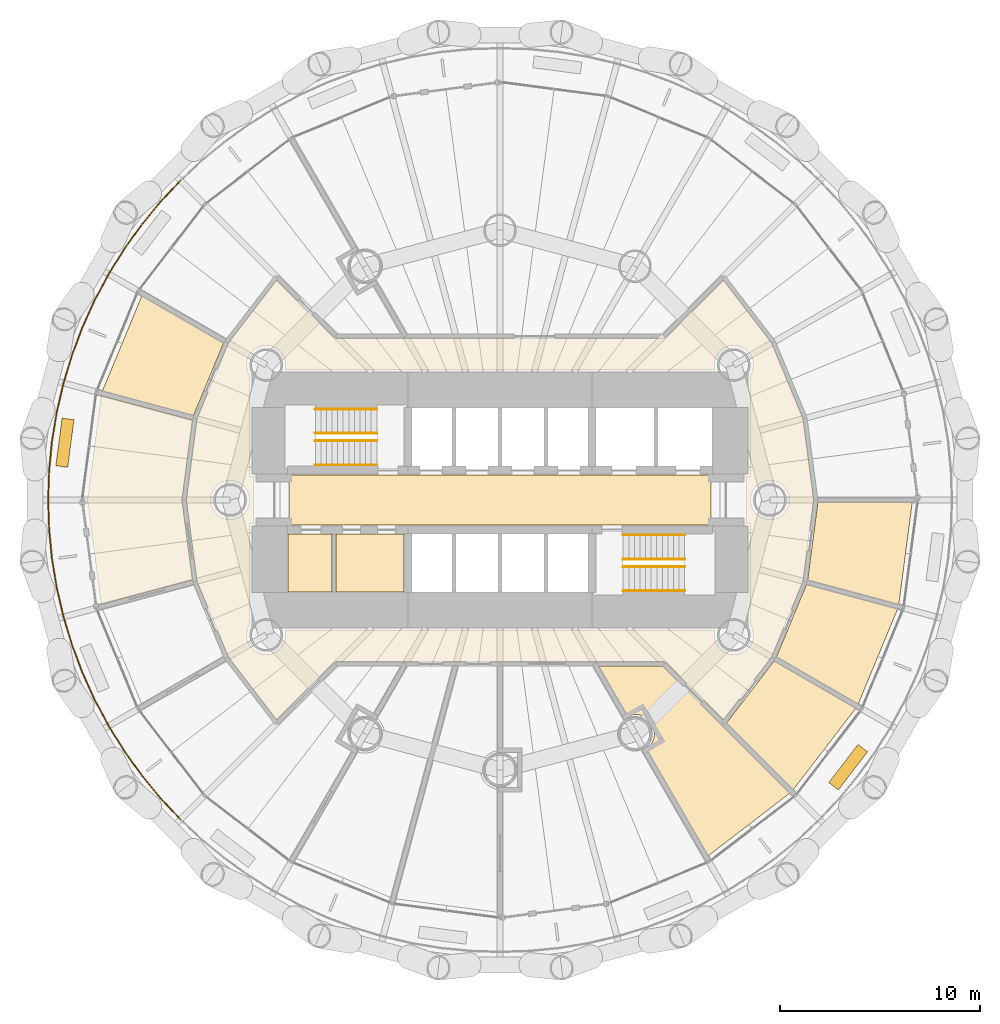
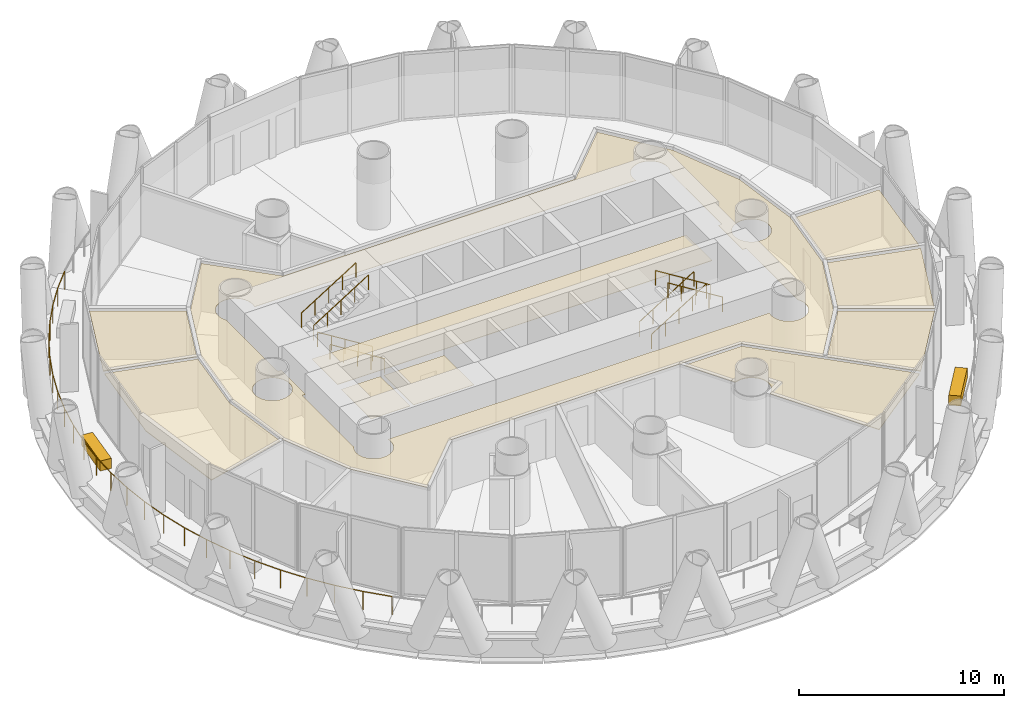
# One storey, part 14 of 15: 12 coverings, 9 railings.
"""IFC4 building model written with IfcOpenShell, lengths in metres."""

import ifcopenshell
import ifcopenshell.guid

model = None  # the IFC model being written
_history = None  # IfcOwnerHistory: only IFC2X3 demands one
_inside = {}  # id of a spatial element -> (the spatial element, [elements in it])
_under = {}  # id of a project, library or spatial element -> (it, [spatial elements below it])
_declared = {}  # id of a project -> (the project, [libraries it declares])
_typed = {}  # id of a type object -> (the type object, [elements of that type])
_made_of = {}  # id of a material, layer set ... -> (it, [elements and type objects made of it])


def new_model(schema):
    """Start an empty IFC model of exactly this schema.

    Asked for "IFC4X3", IfcOpenShell would pick the latest addendum, in which some entities
    have other attributes; the version numbers below select the first issue.
    IFC2X3 requires an IfcOwnerHistory on every rooted entity: one is made here for all.
    """
    global model, _history
    if schema == "IFC4X3":
        model = ifcopenshell.file(schema_version=(4, 3, 0, 0))
    else:
        model = ifcopenshell.file(schema=schema)
    _inside.clear()
    _under.clear()
    _declared.clear()
    _typed.clear()
    _made_of.clear()
    _history = None
    if model.schema == "IFC2X3":
        org = make("IfcOrganization", Name="unknown")
        user = make(
            "IfcPersonAndOrganization",
            ThePerson=make("IfcPerson", FamilyName="unknown"),
            TheOrganization=org,
        )
        app = make(
            "IfcApplication",
            ApplicationDeveloper=org,
            Version="unknown",
            ApplicationFullName="unknown",
            ApplicationIdentifier="unknown",
        )
        _history = make(
            "IfcOwnerHistory",
            OwningUser=user,
            OwningApplication=app,
            ChangeAction="ADDED",
            CreationDate=0,
        )
    return model


def make(cls, **values):
    """One entity of the class cls with the attributes given. An attribute that is None is left unset."""
    return model.create_entity(
        cls, **{name: value for name, value in values.items() if value is not None}
    )


def rooted(cls, **values):
    """An entity with a GlobalId (a new one), such as an element, a storey or a relation."""
    return make(cls, GlobalId=ifcopenshell.guid.new(), OwnerHistory=_history, **values)


def si_unit(unit_type, name, prefix=None):
    """IfcSIUnit, for example si_unit("LENGTHUNIT", "METRE", prefix="MILLI")."""
    return make("IfcSIUnit", UnitType=unit_type, Prefix=prefix, Name=name)


def assignment(units):
    """IfcUnitAssignment: the units of a project."""
    return None if units is None else make("IfcUnitAssignment", Units=units)


def point(xyz):
    """IfcCartesianPoint."""
    return None if xyz is None else make("IfcCartesianPoint", Coordinates=xyz)


def direction(xyz):
    """IfcDirection."""
    return None if xyz is None else make("IfcDirection", DirectionRatios=xyz)


def frame(location, z_axis=None, x_axis=None):
    """IfcAxis2Placement3D, a coordinate frame: its origin and axes. An axis left out is left unset."""
    return make(
        "IfcAxis2Placement3D",
        Location=point(location),
        Axis=direction(z_axis),
        RefDirection=direction(x_axis),
    )


def frame_2d(location, x_axis=None):
    """IfcAxis2Placement2D, a coordinate frame in the plane: its origin and x axis."""
    return make(
        "IfcAxis2Placement2D", Location=point(location), RefDirection=direction(x_axis)
    )


def origin():
    """The frame at (0, 0, 0) with its axes left unset."""
    return frame((0.0, 0.0, 0.0))


def origin_2d():
    """The frame at (0, 0) in the plane with its x axis left unset."""
    return frame_2d((0.0, 0.0))


def place(relative_to, where):
    """IfcLocalPlacement: puts the frame where relative to a parent placement (None: the world)."""
    return make(
        "IfcLocalPlacement", PlacementRelTo=relative_to, RelativePlacement=where
    )


def context(
    kind, dimensions, precision=None, world=None, true_north=None, identifier=None
):
    """IfcGeometricRepresentationContext, for example the 3D "Model" context."""
    return make(
        "IfcGeometricRepresentationContext",
        ContextIdentifier=identifier,
        ContextType=kind,
        CoordinateSpaceDimension=dimensions,
        Precision=precision,
        WorldCoordinateSystem=world,
        TrueNorth=true_north,
    )


def subcontext(parent, identifier, kind, view, scale=None):
    """IfcGeometricRepresentationSubContext, for example "Body" below "Model"."""
    return make(
        "IfcGeometricRepresentationSubContext",
        ContextIdentifier=identifier,
        ContextType=kind,
        ParentContext=parent,
        TargetScale=scale,
        TargetView=view,
    )


def project(units=None, contexts=None):
    """IfcProject with its units and contexts."""
    return rooted(
        "IfcProject",
        Name="project",
        RepresentationContexts=contexts,
        UnitsInContext=assignment(units),
    )


def spatial(cls, under=None, at=None, **own):
    """A site, building, storey or space (cls), placed at a placement, below another one or the project."""
    s = rooted(cls, ObjectPlacement=at, **own)
    if under is not None:
        _under.setdefault(under.id(), (under, []))[1].append(s)
    return s


def polyline(points):
    """IfcPolyline through the points."""
    return make("IfcPolyline", Points=[point(p) for p in points])


def profile(cls, at=None, kind="AREA", **sizes):
    """A parametric profile (cls). Its sizes go by their IFC names, for example OverallWidth=200.0."""
    return make(cls, ProfileType=kind, Position=at, **sizes)


def rectangle(**sizes):
    """IfcRectangleProfileDef."""
    return profile("IfcRectangleProfileDef", **sizes)


def circle(**sizes):
    """IfcCircleProfileDef."""
    return profile("IfcCircleProfileDef", **sizes)


def outline(outer, holes=None, kind="AREA"):
    """IfcArbitraryClosedProfileDef: a profile drawn as a closed curve; with holes, ...WithVoids."""
    if holes is None:
        return make("IfcArbitraryClosedProfileDef", ProfileType=kind, OuterCurve=outer)
    return make(
        "IfcArbitraryProfileDefWithVoids",
        ProfileType=kind,
        OuterCurve=outer,
        InnerCurves=holes,
    )


def extrude(swept, where, along, depth):
    """IfcExtrudedAreaSolid: the profile swept, set in the frame where, extruded along a direction by depth."""
    return make(
        "IfcExtrudedAreaSolid",
        SweptArea=swept,
        Position=where,
        ExtrudedDirection=direction(along),
        Depth=depth,
    )


def shape(context_of_items, identifier, shape_type, items):
    """IfcShapeRepresentation: the items that make up one representation, for example the "Body"."""
    return make(
        "IfcShapeRepresentation",
        ContextOfItems=context_of_items,
        RepresentationIdentifier=identifier,
        RepresentationType=shape_type,
        Items=items,
    )


def material(Name=None, Category=None):
    """IfcMaterial."""
    return make("IfcMaterial", Name=Name, Category=Category)


def layer(
    of_material, thickness, ventilated=None, Name=None, Category=None, Priority=None
):
    """IfcMaterialLayer: one layer of a wall or slab, of a material (None: an air gap)."""
    return make(
        "IfcMaterialLayer",
        Material=of_material,
        LayerThickness=thickness,
        IsVentilated=ventilated,
        Name=Name,
        Category=Category,
        Priority=Priority,
    )


def layer_set(layers, Name=None):
    """IfcMaterialLayerSet."""
    return make("IfcMaterialLayerSet", MaterialLayers=layers, LayerSetName=Name)


def made_of(thing, what):
    """Note that an element or type object is made of a material, layer set ...; save() writes the relation."""
    if what is not None:
        _made_of.setdefault(what.id(), (what, []))[1].append(thing)
    return thing


def type_object(cls, material=None, **own):
    """A type object (cls), such as IfcWallType, which elements share."""
    return made_of(rooted(cls, **own), material)


def element(
    cls,
    number,
    at=None,
    inside=None,
    cuts=None,
    type_object=None,
    material=None,
    context=None,
    identifier="Body",
    shape_type=None,
    held_by="IfcProductDefinitionShape",
    body=None,
    shapes=None,
    **own,
):
    """One element of the class cls, such as IfcWall. Its Tag is "e" and its number.

    at: its placement. inside: the storey or other place that contains it. cuts: it is an
    opening in that element (IfcRelVoidsElement). A single representation is given by context,
    identifier, shape_type and body (its items); several are given by shapes. held_by: the class
    of the entity that holds the representations. save() writes the other relations.
    """
    e = rooted(cls, Tag="e%d" % number, ObjectPlacement=at, **own)
    if body is not None:
        shapes = [shape(context, identifier, shape_type, body)]
    if shapes is not None:
        e.Representation = make(held_by, Representations=shapes)
    if inside is not None:
        _inside.setdefault(inside.id(), (inside, []))[1].append(e)
    if cuts is not None:
        rooted(
            "IfcRelVoidsElement", RelatingBuildingElement=cuts, RelatedOpeningElement=e
        )
    if type_object is not None:
        _typed.setdefault(type_object.id(), (type_object, []))[1].append(e)
    return made_of(e, material)


def aggregate(whole, parts):
    """IfcRelAggregates: a whole, such as a stair, and the parts it consists of."""
    return rooted("IfcRelAggregates", RelatingObject=whole, RelatedObjects=parts)


def save(model, path):
    """Write the relations noted so far, then the file.

    IfcRelAggregates (storeys below a building ...), IfcRelContainedInSpatialStructure (elements
    in a storey), IfcRelDefinesByType, IfcRelAssociatesMaterial and IfcRelDeclares: one each for
    every whole, place, type object, material and project.
    """
    for whole, parts in _under.values():
        aggregate(whole, parts)
    for where, things in _inside.values():
        rooted(
            "IfcRelContainedInSpatialStructure",
            RelatedElements=things,
            RelatingStructure=where,
        )
    for kind, things in _typed.values():
        rooted("IfcRelDefinesByType", RelatedObjects=things, RelatingType=kind)
    for what, things in _made_of.values():
        rooted("IfcRelAssociatesMaterial", RelatedObjects=things, RelatingMaterial=what)
    for by, libraries in _declared.values():
        rooted("IfcRelDeclares", RelatingContext=by, RelatedDefinitions=libraries)
    model.write(path)


model = new_model("IFC4")

# Units and contexts
model_context = context("Model", 3, precision=1e-05, world=origin(), true_north=direction((0.0, 1.0)))
body_context = subcontext(model_context, "Body", "Model", "MODEL_VIEW")
ifc_project = project(units=[si_unit("LENGTHUNIT", "METRE"), si_unit("AREAUNIT", "SQUARE_METRE"), si_unit("VOLUMEUNIT", "CUBIC_METRE"), si_unit("PLANEANGLEUNIT", "RADIAN"), si_unit("MASSUNIT", "GRAM", prefix="KILO")], contexts=[model_context])

# Site, building, storey
site_placement = place(None, origin())
site = spatial("IfcSite", under=ifc_project, at=site_placement, CompositionType="ELEMENT")
building_placement = place(site_placement, origin())
building = spatial("IfcBuilding", under=site, at=building_placement, Name="Qaws Media Tower", CompositionType="ELEMENT")
storey_placement = place(building_placement, frame((0.0, 0.0, 30.199951171875)))
storey = spatial("IfcBuildingStorey", under=building, at=storey_placement, Name="L05", CompositionType="ELEMENT", Elevation=30.199951171875)

# Coverings
ifc_material_1 = material(Name="40 perforated acoustic panels with mineral wool backing, suspended", Category="mineral fibre")
ifc_layer_1 = layer(ifc_material_1, 0.0400390625)
ifc_layer_set_1 = layer_set([ifc_layer_1], Name="Acoustic panel ceiling 40")
covering_type_1 = type_object("IfcCoveringType", Name="Acoustic panel ceiling 40", PredefinedType="CEILING", material=ifc_layer_set_1)
covering_1_placement = place(storey_placement, frame((0.0, 0.0, 2.85009765625)))
element("IfcCovering", 1, at=covering_1_placement, inside=storey, type_object=covering_type_1, Name="CL3 ceiling L05-04 Podcast booth", PredefinedType="CEILING", context=body_context, shape_type="SweptSolid", body=[
    extrude(outline(polyline([(42.0859375, 60.212890625), (46.175048828125, 57.851806640625), (44.672119140625, 54.223388671875), (40.111328125, 55.445556640625), (42.0859375, 60.212890625)])), origin(), (0.0, 0.0, 1.0), 0.0400390625),
])
covering_2_placement = place(storey_placement, frame((0.0, 0.0, 2.85009765625)))
element("IfcCovering", 2, at=covering_2_placement, inside=storey, type_object=covering_type_1, Name="CL3 ceiling L05-05 Radio studio", PredefinedType="CEILING", context=body_context, shape_type="SweptSolid", body=[
    extrude(outline(polyline([(39.36474609375, 50.0), (40.052978515625, 55.228271484375), (44.614013671875, 54.006103515625), (44.08642578125, 50.0), (44.614013671875, 45.993896484375), (40.052978515625, 44.771728515625), (39.36474609375, 50.0)])), origin(), (0.0, 0.0, 1.0), 0.0400390625),
])
covering_3_placement = place(storey_placement, frame((0.0, 0.0, 2.85009765625)))
element("IfcCovering", 3, at=covering_3_placement, inside=storey, type_object=covering_type_1, Name="CL3 ceiling L05-11 Podcast booth", PredefinedType="CEILING", context=body_context, shape_type="SweptSolid", body=[
    extrude(outline(polyline([(70.40771484375, 32.198486328125), (67.330078125, 37.528564453125), (67.34228515625, 37.53662109375), (67.43798828125, 37.62060546875), (67.52197265625, 37.71630859375), (67.592529296875, 37.822265625), (67.64892578125, 37.936279296875), (67.689697265625, 38.056884765625), (67.714599609375, 38.181640625), (67.722900390625, 38.30859375), (67.714599609375, 38.435791015625), (67.689697265625, 38.560546875), (67.64892578125, 38.680908203125), (67.592529296875, 38.795166015625), (67.52197265625, 38.90087890625), (67.43798828125, 38.99658203125), (67.34228515625, 39.08056640625), (67.236572265625, 39.1513671875), (67.122314453125, 39.20751953125), (67.001708984375, 39.24853515625), (66.876953125, 39.273193359375), (66.75, 39.28173828125), (66.623046875, 39.273193359375), (66.498291015625, 39.24853515625), (66.377685546875, 39.20751953125), (66.364501953125, 39.201171875), (64.92919921875, 41.6875), (68.1533203125, 41.6875), (74.501220703125, 35.339599609375), (70.40771484375, 32.198486328125)])), origin(), (0.0, 0.0, 1.0), 0.0400390625),
])
covering_4_placement = place(storey_placement, frame((0.0, 0.0, 2.85009765625)))
element("IfcCovering", 4, at=covering_4_placement, inside=storey, type_object=covering_type_1, Name="CL3 ceiling L05-12 Music library", PredefinedType="CEILING", context=body_context, shape_type="SweptSolid", body=[
    extrude(outline(polyline([(74.660400390625, 35.498779296875), (71.321533203125, 38.83740234375), (73.71240234375, 41.953125), (77.801513671875, 39.59228515625), (74.660400390625, 35.498779296875)])), origin(), (0.0, 0.0, 1.0), 0.0400390625),
])

# Railing
ifc_material_2 = material(Name="Stainless steel and glass guard", Category="steel")
railing_type_1 = type_object("IfcRailingType", Name="Balcony guard 1100", PredefinedType="GUARDRAIL", material=ifc_material_2)
railing_placement = place(storey_placement, frame((44.019287109375, 65.980712890625, 0.0)))
element("IfcRailing", 5, at=railing_placement, inside=storey, type_object=railing_type_1, Name="GR1 balcony guard L05-2", PredefinedType="GUARDRAIL", context=body_context, shape_type="SweptSolid", body=[
    extrude(circle(Radius=0.02392578125, at=origin_2d()), frame((0.0, 0.0, 1.076171875), z_axis=(-0.683534708636, -0.729918010526, 0.0), x_axis=(0.729918010526, -0.683534708636, 0.0)), (0.0, 0.0, 1.0), 1.47900390625),
    extrude(circle(Radius=0.02392578125, at=origin_2d()), frame((-1.010986328125, -1.07958984375, 1.076171875), z_axis=(-0.6343520334, -0.773044305148, 0.0), x_axis=(0.773044305148, -0.6343520334, 0.0)), (0.0, 0.0, 1.0), 1.478759765625),
    extrude(circle(Radius=0.02392578125, at=origin_2d()), frame((-1.948974609375, -2.22265625, 1.076171875), z_axis=(-0.582533482314, -0.812806706409, 0.0), x_axis=(0.812806706409, -0.582533482314, 0.0)), (0.0, 0.0, 1.0), 1.47900390625),
    extrude(circle(Radius=0.02392578125, at=origin_2d()), frame((-2.810546875, -3.4248046875, 1.076171875), z_axis=(-0.528098236808, -0.849183285446, 0.0), x_axis=(0.849183285446, -0.528098236808, 0.0)), (0.0, 0.0, 1.0), 1.47900390625),
    extrude(circle(Radius=0.02392578125, at=origin_2d()), frame((-3.591552734375, -4.6806640625, 1.076171875), z_axis=(-0.471282079795, -0.881982540226, 0.0), x_axis=(0.881982540226, -0.471282079795, 0.0)), (0.0, 0.0, 1.0), 1.47900390625),
    extrude(circle(Radius=0.02392578125, at=origin_2d()), frame((-4.28857421875, -5.985107421875, 1.076171875), z_axis=(-0.412745358615, -0.910846457391, 0.0), x_axis=(0.910846457391, -0.412745358615, 0.0)), (0.0, 0.0, 1.0), 1.478759765625),
    extrude(circle(Radius=0.02392578125, at=origin_2d()), frame((-4.89892578125, -7.33203125, 1.076171875), z_axis=(-0.352299138469, -0.935887448914, 0.0), x_axis=(0.935887448914, -0.352299138469, 0.0)), (0.0, 0.0, 1.0), 1.478759765625),
    extrude(circle(Radius=0.02392578125, at=origin_2d()), frame((-5.419921875, -8.716064453125, 1.076171875), z_axis=(-0.290208982449, -0.956963294231, 0.0), x_axis=(0.956963294231, -0.290208982449, 0.0)), (0.0, 0.0, 1.0), 1.47900390625),
    extrude(circle(Radius=0.02392578125, at=origin_2d()), frame((-5.84912109375, -10.13134765625, 1.076171875), z_axis=(-0.227125254792, -0.973865554702, 0.0), x_axis=(0.973865554702, -0.227125254792, 0.0)), (0.0, 0.0, 1.0), 1.47900390625),
    extrude(circle(Radius=0.02392578125, at=origin_2d()), frame((-6.18505859375, -11.57177734375, 1.076171875), z_axis=(-0.162953075722, -0.986633820175, 0.0), x_axis=(0.986633820175, -0.162953075722, 0.0)), (0.0, 0.0, 1.0), 1.478759765625),
    extrude(circle(Radius=0.02392578125, at=origin_2d()), frame((-6.426025390625, -13.03076171875, 1.076171875), z_axis=(-0.097885589811, -0.995197674488, 0.0), x_axis=(0.995197674488, -0.097885589811, 0.0)), (0.0, 0.0, 1.0), 1.47900390625),
    extrude(circle(Radius=0.02392578125, at=origin_2d()), frame((-6.57080078125, -14.502685546875, 1.076171875), z_axis=(-0.032853085257, -0.999460191698, 0.0), x_axis=(0.999460191698, -0.032853085257, 0.0)), (0.0, 0.0, 1.0), 1.478759765625),
    extrude(circle(Radius=0.02392578125, at=origin_2d()), frame((-6.619384765625, -15.980712890625, 1.076171875), z_axis=(0.032853085257, -0.999460191698, 0.0), x_axis=(0.999460191698, 0.032853085257, 0.0)), (0.0, 0.0, 1.0), 1.478759765625),
    extrude(circle(Radius=0.02392578125, at=origin_2d()), frame((-6.57080078125, -17.458740234375, 1.076171875), z_axis=(0.097885589811, -0.995197674488, 0.0), x_axis=(0.995197674488, 0.097885589811, 0.0)), (0.0, 0.0, 1.0), 1.47900390625),
    extrude(circle(Radius=0.02392578125, at=origin_2d()), frame((-6.426025390625, -18.9306640625, 1.076171875), z_axis=(0.162953075722, -0.986633820175, 0.0), x_axis=(0.986633820175, 0.162953075722, 0.0)), (0.0, 0.0, 1.0), 1.478759765625),
    extrude(circle(Radius=0.02392578125, at=origin_2d()), frame((-6.18505859375, -20.3896484375, 1.076171875), z_axis=(0.227125254792, -0.973865554702, 0.0), x_axis=(0.973865554702, 0.227125254792, 0.0)), (0.0, 0.0, 1.0), 1.47900390625),
    extrude(circle(Radius=0.02392578125, at=origin_2d()), frame((-5.84912109375, -21.830078125, 1.076171875), z_axis=(0.290208982449, -0.956963294231, 0.0), x_axis=(0.956963294231, 0.290208982449, 0.0)), (0.0, 0.0, 1.0), 1.47900390625),
    extrude(circle(Radius=0.02392578125, at=origin_2d()), frame((-5.419921875, -23.245361328125, 1.076171875), z_axis=(0.352299138469, -0.935887448914, 0.0), x_axis=(0.935887448914, 0.352299138469, 0.0)), (0.0, 0.0, 1.0), 1.478759765625),
    extrude(circle(Radius=0.02392578125, at=origin_2d()), frame((-4.89892578125, -24.62939453125, 1.076171875), z_axis=(0.412745358615, -0.910846457391, 0.0), x_axis=(0.910846457391, 0.412745358615, 0.0)), (0.0, 0.0, 1.0), 1.478759765625),
    extrude(circle(Radius=0.02392578125, at=origin_2d()), frame((-4.28857421875, -25.976318359375, 1.076171875), z_axis=(0.471282079795, -0.881982540226, 0.0), x_axis=(0.881982540226, 0.471282079795, 0.0)), (0.0, 0.0, 1.0), 1.47900390625),
    extrude(circle(Radius=0.02392578125, at=origin_2d()), frame((-3.591552734375, -27.28076171875, 1.076171875), z_axis=(0.528098236808, -0.849183285446, 0.0), x_axis=(0.849183285446, 0.528098236808, 0.0)), (0.0, 0.0, 1.0), 1.47900390625),
    extrude(circle(Radius=0.02392578125, at=origin_2d()), frame((-2.810546875, -28.53662109375, 1.076171875), z_axis=(0.582533482314, -0.812806706409, 0.0), x_axis=(0.812806706409, 0.582533482314, 0.0)), (0.0, 0.0, 1.0), 1.47900390625),
    extrude(circle(Radius=0.02392578125, at=origin_2d()), frame((-1.948974609375, -29.73876953125, 1.076171875), z_axis=(0.6343520334, -0.773044305148, 0.0), x_axis=(0.773044305148, 0.6343520334, 0.0)), (0.0, 0.0, 1.0), 1.478759765625),
    extrude(circle(Radius=0.02392578125, at=origin_2d()), frame((-1.010986328125, -30.8818359375, 1.076171875), z_axis=(0.683534708636, -0.729918010526, 0.0), x_axis=(0.729918010526, 0.683534708636, 0.0)), (0.0, 0.0, 1.0), 1.47900390625),
    extrude(circle(Radius=0.02099609375, at=origin_2d()), origin(), (0.0, 0.0, 1.0), 1.052001953125),
    extrude(circle(Radius=0.02099609375, at=origin_2d()), frame((-1.010986328125, -1.07958984375, 0.0)), (0.0, 0.0, 1.0), 1.052001953125),
    extrude(circle(Radius=0.02099609375, at=origin_2d()), frame((-1.948974609375, -2.22265625, 0.0)), (0.0, 0.0, 1.0), 1.052001953125),
    extrude(circle(Radius=0.02099609375, at=origin_2d()), frame((-2.810546875, -3.4248046875, 0.0)), (0.0, 0.0, 1.0), 1.052001953125),
    extrude(circle(Radius=0.02099609375, at=origin_2d()), frame((-3.591552734375, -4.6806640625, 0.0)), (0.0, 0.0, 1.0), 1.052001953125),
    extrude(circle(Radius=0.02099609375, at=origin_2d()), frame((-4.28857421875, -5.985107421875, 0.0)), (0.0, 0.0, 1.0), 1.052001953125),
    extrude(circle(Radius=0.02099609375, at=origin_2d()), frame((-4.89892578125, -7.33203125, 0.0)), (0.0, 0.0, 1.0), 1.052001953125),
    extrude(circle(Radius=0.02099609375, at=origin_2d()), frame((-5.419921875, -8.716064453125, 0.0)), (0.0, 0.0, 1.0), 1.052001953125),
    extrude(circle(Radius=0.02099609375, at=origin_2d()), frame((-5.84912109375, -10.13134765625, 0.0)), (0.0, 0.0, 1.0), 1.052001953125),
    extrude(circle(Radius=0.02099609375, at=origin_2d()), frame((-6.18505859375, -11.57177734375, 0.0)), (0.0, 0.0, 1.0), 1.052001953125),
    extrude(circle(Radius=0.02099609375, at=origin_2d()), frame((-6.426025390625, -13.03076171875, 0.0)), (0.0, 0.0, 1.0), 1.052001953125),
    extrude(circle(Radius=0.02099609375, at=origin_2d()), frame((-6.57080078125, -14.502685546875, 0.0)), (0.0, 0.0, 1.0), 1.052001953125),
    extrude(circle(Radius=0.02099609375, at=origin_2d()), frame((-6.619384765625, -15.980712890625, 0.0)), (0.0, 0.0, 1.0), 1.052001953125),
    extrude(circle(Radius=0.02099609375, at=origin_2d()), frame((-6.57080078125, -17.458740234375, 0.0)), (0.0, 0.0, 1.0), 1.052001953125),
    extrude(circle(Radius=0.02099609375, at=origin_2d()), frame((-6.426025390625, -18.9306640625, 0.0)), (0.0, 0.0, 1.0), 1.052001953125),
    extrude(circle(Radius=0.02099609375, at=origin_2d()), frame((-6.18505859375, -20.3896484375, 0.0)), (0.0, 0.0, 1.0), 1.052001953125),
    extrude(circle(Radius=0.02099609375, at=origin_2d()), frame((-5.84912109375, -21.830078125, 0.0)), (0.0, 0.0, 1.0), 1.052001953125),
    extrude(circle(Radius=0.02099609375, at=origin_2d()), frame((-5.419921875, -23.245361328125, 0.0)), (0.0, 0.0, 1.0), 1.052001953125),
    extrude(circle(Radius=0.02099609375, at=origin_2d()), frame((-4.89892578125, -24.62939453125, 0.0)), (0.0, 0.0, 1.0), 1.052001953125),
    extrude(circle(Radius=0.02099609375, at=origin_2d()), frame((-4.28857421875, -25.976318359375, 0.0)), (0.0, 0.0, 1.0), 1.052001953125),
    extrude(circle(Radius=0.02099609375, at=origin_2d()), frame((-3.591552734375, -27.28076171875, 0.0)), (0.0, 0.0, 1.0), 1.052001953125),
    extrude(circle(Radius=0.02099609375, at=origin_2d()), frame((-2.810546875, -28.53662109375, 0.0)), (0.0, 0.0, 1.0), 1.052001953125),
    extrude(circle(Radius=0.02099609375, at=origin_2d()), frame((-1.948974609375, -29.73876953125, 0.0)), (0.0, 0.0, 1.0), 1.052001953125),
    extrude(circle(Radius=0.02099609375, at=origin_2d()), frame((-1.010986328125, -30.8818359375, 0.0)), (0.0, 0.0, 1.0), 1.052001953125),
    extrude(circle(Radius=0.02099609375, at=origin_2d()), frame((0.0, -31.96142578125, 0.0)), (0.0, 0.0, 1.0), 1.052001953125),
])

# Coverings
ifc_material_3 = material(Name="600 x 600 mineral fibre tiles in exposed grid, suspended", Category="mineral fibre")
ifc_layer_2 = layer(ifc_material_3, 0.02001953125)
ifc_layer_set_2 = layer_set([ifc_layer_2], Name="Mineral fibre tile ceiling 20")
covering_type_2 = type_object("IfcCoveringType", Name="Mineral fibre tile ceiling 20", PredefinedType="CEILING", material=ifc_layer_set_2)
covering_5_placement = place(storey_placement, frame((0.0, 0.0, 2.85009765625)))
element("IfcCovering", 6, at=covering_5_placement, inside=storey, type_object=covering_type_2, Name="CL1 ceiling L05-01 Corridor", PredefinedType="CEILING", context=body_context, shape_type="SweptSolid", body=[
    extrude(outline(polyline([(44.847900390625, 45.93994140625), (44.3134765625, 50.0), (44.847900390625, 54.06005859375), (46.4150390625, 57.84326171875), (48.8388671875, 61.001953125), (51.75341796875, 58.08740234375), (68.24658203125, 58.08740234375), (71.1611328125, 61.001953125), (73.5849609375, 57.84326171875), (75.152099609375, 54.06005859375), (75.6865234375, 50.0), (75.152099609375, 45.93994140625), (73.5849609375, 42.15673828125), (71.1611328125, 38.998046875), (68.24658203125, 41.91259765625), (51.75341796875, 41.91259765625), (48.8388671875, 38.998046875), (46.4150390625, 42.15673828125), (44.847900390625, 45.93994140625)]), holes=[polyline([(72.512451171875, 48.8125), (72.3125, 48.8125), (72.3125, 51.1875), (72.512451171875, 51.1875), (72.512451171875, 56.231201171875), (72.533935546875, 56.263427734375), (72.59033203125, 56.377685546875), (72.631103515625, 56.498291015625), (72.656005859375, 56.623046875), (72.664306640625, 56.75), (72.656005859375, 56.876953125), (72.631103515625, 57.001708984375), (72.59033203125, 57.122314453125), (72.533935546875, 57.236572265625), (72.46337890625, 57.34228515625), (72.37939453125, 57.43798828125), (72.28369140625, 57.52197265625), (72.177734375, 57.592529296875), (72.063720703125, 57.64892578125), (71.943115234375, 57.689697265625), (71.818359375, 57.714599609375), (71.69140625, 57.722900390625), (71.564208984375, 57.714599609375), (71.439453125, 57.689697265625), (71.319091796875, 57.64892578125), (71.204833984375, 57.592529296875), (71.09912109375, 57.52197265625), (71.00341796875, 57.43798828125), (70.91943359375, 57.34228515625), (70.8486328125, 57.236572265625), (70.79248046875, 57.122314453125), (70.75146484375, 57.001708984375), (70.726806640625, 56.876953125), (70.71826171875, 56.75), (70.726806640625, 56.623046875), (70.74853515625, 56.512451171875), (49.25146484375, 56.512451171875), (49.273193359375, 56.623046875), (49.28173828125, 56.75), (49.273193359375, 56.876953125), (49.24853515625, 57.001708984375), (49.20751953125, 57.122314453125), (49.1513671875, 57.236572265625), (49.08056640625, 57.34228515625), (48.99658203125, 57.43798828125), (48.90087890625, 57.52197265625), (48.795166015625, 57.592529296875), (48.680908203125, 57.64892578125), (48.560546875, 57.689697265625), (48.435791015625, 57.714599609375), (48.30859375, 57.722900390625), (48.181640625, 57.714599609375), (48.056884765625, 57.689697265625), (47.936279296875, 57.64892578125), (47.822265625, 57.592529296875), (47.71630859375, 57.52197265625), (47.62060546875, 57.43798828125), (47.53662109375, 57.34228515625), (47.466064453125, 57.236572265625), (47.40966796875, 57.122314453125), (47.368896484375, 57.001708984375), (47.343994140625, 56.876953125), (47.335693359375, 56.75), (47.343994140625, 56.623046875), (47.368896484375, 56.498291015625), (47.40966796875, 56.377685546875), (47.466064453125, 56.263427734375), (47.487548828125, 56.231201171875), (47.487548828125, 51.1875), (47.6875, 51.1875), (47.6875, 48.8125), (47.487548828125, 48.8125), (47.487548828125, 43.768798828125), (47.466064453125, 43.736572265625), (47.40966796875, 43.622314453125), (47.368896484375, 43.501708984375), (47.343994140625, 43.376953125), (47.335693359375, 43.25), (47.343994140625, 43.123046875), (47.368896484375, 42.998291015625), (47.40966796875, 42.877685546875), (47.466064453125, 42.763427734375), (47.53662109375, 42.65771484375), (47.62060546875, 42.56201171875), (47.71630859375, 42.47802734375), (47.822265625, 42.407470703125), (47.936279296875, 42.35107421875), (48.056884765625, 42.310302734375), (48.181640625, 42.285400390625), (48.30859375, 42.277099609375), (48.435791015625, 42.285400390625), (48.560546875, 42.310302734375), (48.680908203125, 42.35107421875), (48.795166015625, 42.407470703125), (48.90087890625, 42.47802734375), (48.99658203125, 42.56201171875), (49.08056640625, 42.65771484375), (49.1513671875, 42.763427734375), (49.20751953125, 42.877685546875), (49.24853515625, 42.998291015625), (49.273193359375, 43.123046875), (49.28173828125, 43.25), (49.273193359375, 43.376953125), (49.25146484375, 43.487548828125), (70.74853515625, 43.487548828125), (70.726806640625, 43.376953125), (70.71826171875, 43.25), (70.726806640625, 43.123046875), (70.75146484375, 42.998291015625), (70.79248046875, 42.877685546875), (70.8486328125, 42.763427734375), (70.91943359375, 42.65771484375), (71.00341796875, 42.56201171875), (71.09912109375, 42.47802734375), (71.204833984375, 42.407470703125), (71.319091796875, 42.35107421875), (71.439453125, 42.310302734375), (71.564208984375, 42.285400390625), (71.69140625, 42.277099609375), (71.818359375, 42.285400390625), (71.943115234375, 42.310302734375), (72.063720703125, 42.35107421875), (72.177734375, 42.407470703125), (72.28369140625, 42.47802734375), (72.37939453125, 42.56201171875), (72.46337890625, 42.65771484375), (72.533935546875, 42.763427734375), (72.59033203125, 42.877685546875), (72.631103515625, 42.998291015625), (72.656005859375, 43.123046875), (72.664306640625, 43.25), (72.656005859375, 43.376953125), (72.631103515625, 43.501708984375), (72.59033203125, 43.622314453125), (72.533935546875, 43.736572265625), (72.512451171875, 43.768798828125), (72.512451171875, 48.8125)]), polyline([(47.39892578125, 49.627685546875), (47.439697265625, 49.748291015625), (47.464599609375, 49.873046875), (47.472900390625, 50.0), (47.464599609375, 50.126953125), (47.439697265625, 50.251708984375), (47.39892578125, 50.372314453125), (47.342529296875, 50.486572265625), (47.27197265625, 50.59228515625), (47.18798828125, 50.68798828125), (47.09228515625, 50.77197265625), (46.986572265625, 50.842529296875), (46.872314453125, 50.89892578125), (46.751708984375, 50.939697265625), (46.626953125, 50.964599609375), (46.5, 50.972900390625), (46.373046875, 50.964599609375), (46.248291015625, 50.939697265625), (46.127685546875, 50.89892578125), (46.013427734375, 50.842529296875), (45.90771484375, 50.77197265625), (45.81201171875, 50.68798828125), (45.72802734375, 50.59228515625), (45.657470703125, 50.486572265625), (45.60107421875, 50.372314453125), (45.560302734375, 50.251708984375), (45.535400390625, 50.126953125), (45.527099609375, 50.0), (45.535400390625, 49.873046875), (45.560302734375, 49.748291015625), (45.60107421875, 49.627685546875), (45.657470703125, 49.513427734375), (45.72802734375, 49.40771484375), (45.81201171875, 49.31201171875), (45.90771484375, 49.22802734375), (46.013427734375, 49.157470703125), (46.127685546875, 49.10107421875), (46.248291015625, 49.060302734375), (46.373046875, 49.035400390625), (46.5, 49.027099609375), (46.626953125, 49.035400390625), (46.751708984375, 49.060302734375), (46.872314453125, 49.10107421875), (46.986572265625, 49.157470703125), (47.09228515625, 49.22802734375), (47.18798828125, 49.31201171875), (47.27197265625, 49.40771484375), (47.342529296875, 49.513427734375), (47.39892578125, 49.627685546875)]), polyline([(74.439697265625, 49.748291015625), (74.464599609375, 49.873046875), (74.472900390625, 50.0), (74.464599609375, 50.126953125), (74.439697265625, 50.251708984375), (74.39892578125, 50.372314453125), (74.342529296875, 50.486572265625), (74.27197265625, 50.59228515625), (74.18798828125, 50.68798828125), (74.09228515625, 50.77197265625), (73.986572265625, 50.842529296875), (73.872314453125, 50.89892578125), (73.751708984375, 50.939697265625), (73.626953125, 50.964599609375), (73.5, 50.972900390625), (73.373046875, 50.964599609375), (73.248291015625, 50.939697265625), (73.127685546875, 50.89892578125), (73.013427734375, 50.842529296875), (72.90771484375, 50.77197265625), (72.81201171875, 50.68798828125), (72.72802734375, 50.59228515625), (72.657470703125, 50.486572265625), (72.60107421875, 50.372314453125), (72.560302734375, 50.251708984375), (72.535400390625, 50.126953125), (72.527099609375, 50.0), (72.535400390625, 49.873046875), (72.560302734375, 49.748291015625), (72.60107421875, 49.627685546875), (72.657470703125, 49.513427734375), (72.72802734375, 49.40771484375), (72.81201171875, 49.31201171875), (72.90771484375, 49.22802734375), (73.013427734375, 49.157470703125), (73.127685546875, 49.10107421875), (73.248291015625, 49.060302734375), (73.373046875, 49.035400390625), (73.5, 49.027099609375), (73.626953125, 49.035400390625), (73.751708984375, 49.060302734375), (73.872314453125, 49.10107421875), (73.986572265625, 49.157470703125), (74.09228515625, 49.22802734375), (74.18798828125, 49.31201171875), (74.27197265625, 49.40771484375), (74.342529296875, 49.513427734375), (74.39892578125, 49.627685546875), (74.439697265625, 49.748291015625)])]), origin(), (0.0, 0.0, 1.0), 0.02001953125),
])
covering_6_placement = place(storey_placement, frame((0.0, 0.0, 2.85009765625)))
element("IfcCovering", 7, at=covering_6_placement, inside=storey, type_object=covering_type_2, Name="CL1 ceiling L05-13 Gents toilets", PredefinedType="CEILING", context=body_context, shape_type="SweptSolid", body=[
    extrude(outline(polyline([(77.9140625, 39.787109375), (73.824951171875, 42.148193359375), (75.327880859375, 45.776611328125), (79.888671875, 44.554443359375), (77.9140625, 39.787109375)])), origin(), (0.0, 0.0, 1.0), 0.02001953125),
])
covering_7_placement = place(storey_placement, frame((0.0, 0.0, 2.85009765625)))
element("IfcCovering", 8, at=covering_7_placement, inside=storey, type_object=covering_type_2, Name="CL1 ceiling L05-14 Ladies toilets", PredefinedType="CEILING", context=body_context, shape_type="SweptSolid", body=[
    extrude(outline(polyline([(79.947021484375, 44.771728515625), (75.385986328125, 45.993896484375), (75.898681640625, 49.887451171875), (80.620361328125, 49.887451171875), (79.947021484375, 44.771728515625)])), origin(), (0.0, 0.0, 1.0), 0.02001953125),
])
covering_8_placement = place(storey_placement, frame((0.0, 0.0, 2.85009765625)))
element("IfcCovering", 9, at=covering_8_placement, inside=storey, type_object=covering_type_2, Name="CL1 ceiling L05-C05 Shower room", PredefinedType="CEILING", context=body_context, shape_type="SweptSolid", body=[
    extrude(outline(polyline([(51.800048828125, 45.39990234375), (51.800048828125, 48.300048828125), (55.199951171875, 48.300048828125), (55.199951171875, 45.39990234375), (51.800048828125, 45.39990234375)])), origin(), (0.0, 0.0, 1.0), 0.02001953125),
])
ifc_material_4 = material(Name="Precast concrete planter with trailing planting", Category="concrete")
ifc_layer_3 = layer(ifc_material_4, 0.60009765625)
ifc_layer_set_3 = layer_set([ifc_layer_3], Name="Planter 2400x600")
covering_type_3 = type_object("IfcCoveringType", Name="Planter 2400x600", PredefinedType="USERDEFINED", material=ifc_layer_set_3)
for number, where, z_axis, x_axis, name in (
    (10, (38.23779296875, 52.864990234375, 0.0), (0.0, 0.0, 1.0), (-0.13052619222, -0.991444861374, 0.0), "PL1 balcony planter L05-06"),
    (11, (77.4140625, 36.6376953125, 0.0), (0.0, 0.0, 1.0), (0.608761429009, 0.793353340291, 0.0), "PL1 balcony planter L05-11"),
):
    element("IfcCovering", number, at=place(storey_placement, frame(where, z_axis=z_axis, x_axis=x_axis)), inside=storey, type_object=covering_type_3, Name=name, ObjectType="PLANTER", PredefinedType="USERDEFINED", context=body_context, shape_type="SweptSolid", body=[
        extrude(rectangle(XDim=2.39990234375, YDim=0.60009765625, at=origin_2d()), origin(), (0.0, 0.0, 1.0), 0.60009765625),
    ])
ifc_material_5 = material(Name="Two layers 12.5 moisture-resistant plasterboard on suspended metal furring", Category="gypsum")
ifc_layer_4 = layer(ifc_material_5, 0.02490234375)
ifc_layer_set_4 = layer_set([ifc_layer_4], Name="Plasterboard ceiling 25")
covering_type_4 = type_object("IfcCoveringType", Name="Plasterboard ceiling 25", PredefinedType="CEILING", material=ifc_layer_set_4)
covering_9_placement = place(storey_placement, frame((0.0, 0.0, 2.85009765625)))
element("IfcCovering", 12, at=covering_9_placement, inside=storey, type_object=covering_type_4, Name="CL2 ceiling L05-C01 Lift lobby", PredefinedType="CEILING", context=body_context, shape_type="SweptSolid", body=[
    extrude(outline(polyline([(49.449951171875, 48.75), (49.449951171875, 51.25), (70.550048828125, 51.25), (70.550048828125, 48.75), (49.449951171875, 48.75)])), origin(), (0.0, 0.0, 1.0), 0.02490234375),
])
covering_10_placement = place(storey_placement, frame((0.0, 0.0, 2.85009765625)))
element("IfcCovering", 13, at=covering_10_placement, inside=storey, type_object=covering_type_4, Name="CL2 ceiling L05-C04 Accessible WC", PredefinedType="CEILING", context=body_context, shape_type="SweptSolid", body=[
    extrude(outline(polyline([(49.39990234375, 45.39990234375), (49.39990234375, 48.300048828125), (51.60009765625, 48.300048828125), (51.60009765625, 45.39990234375), (49.39990234375, 45.39990234375)])), origin(), (0.0, 0.0, 1.0), 0.02490234375),
])

# Railings
ifc_material_6 = material(Name="Steel tube handrail", Category="steel")
railing_type_2 = type_object("IfcRailingType", Name="Stair handrail 900", PredefinedType="HANDRAIL", material=ifc_material_6)
for number, where, name in (
    (14, (53.840087890625, 51.75, 0.175048828125), "HR1 handrail S1 flight 1 L05"),
    (15, (53.840087890625, 52.9599609375, 0.175048828125), "HR1 handrail S1 flight 1 L05"),
):
    element("IfcRailing", number, at=place(storey_placement, frame(where)), inside=storey, type_object=railing_type_2, Name=name, PredefinedType="HANDRAIL", context=body_context, shape_type="SweptSolid", body=[
        extrude(circle(Radius=0.02392578125, at=origin_2d()), frame((0.0, 0.0, 0.8759765625), z_axis=(-0.847998304005, 0.0, 0.529998940003), x_axis=(0.0, -1.0, 0.0)), (0.0, 0.0, 1.0), 3.632080078125),
        extrude(circle(Radius=0.02099609375, at=origin_2d()), origin(), (0.0, 0.0, 1.0), 0.851806640625),
        extrude(circle(Radius=0.02099609375, at=origin_2d()), frame((-0.77001953125, 0.0, 0.481201171875)), (0.0, 0.0, 1.0), 0.851806640625),
        extrude(circle(Radius=0.02099609375, at=origin_2d()), frame((-1.5400390625, 0.0, 0.96240234375)), (0.0, 0.0, 1.0), 0.851806640625),
        extrude(circle(Radius=0.02099609375, at=origin_2d()), frame((-2.31005859375, 0.0, 1.44384765625)), (0.0, 0.0, 1.0), 0.851806640625),
        extrude(circle(Radius=0.02099609375, at=origin_2d()), frame((-3.080078125, 0.0, 1.925048828125)), (0.0, 0.0, 1.0), 0.851806640625),
    ])
for number, where, name in (
    (16, (50.760009765625, 54.550048828125, 2.275146484375), "HR1 handrail S1 flight 2 L05"),
    (17, (50.760009765625, 53.340087890625, 2.275146484375), "HR1 handrail S1 flight 2 L05"),
):
    element("IfcRailing", number, at=place(storey_placement, frame(where)), inside=storey, type_object=railing_type_2, Name=name, PredefinedType="HANDRAIL", context=body_context, shape_type="SweptSolid", body=[
        extrude(circle(Radius=0.02392578125, at=origin_2d()), frame((0.0, 0.0, 0.8759765625), z_axis=(0.848028513186, 0.0, 0.529950602248), x_axis=(0.0, 1.0, 0.0)), (0.0, 0.0, 1.0), 3.632080078125),
        extrude(circle(Radius=0.02099609375, at=origin_2d()), origin(), (0.0, 0.0, 1.0), 0.851806640625),
        extrude(circle(Radius=0.02099609375, at=origin_2d()), frame((0.77001953125, 0.0, 0.481201171875)), (0.0, 0.0, 1.0), 0.851806640625),
        extrude(circle(Radius=0.02099609375, at=origin_2d()), frame((1.5400390625, 0.0, 0.96240234375)), (0.0, 0.0, 1.0), 0.851806640625),
        extrude(circle(Radius=0.02099609375, at=origin_2d()), frame((2.31005859375, 0.0, 1.443603515625)), (0.0, 0.0, 1.0), 0.851806640625),
        extrude(circle(Radius=0.02099609375, at=origin_2d()), frame((3.080078125, 0.0, 1.9248046875)), (0.0, 0.0, 1.0), 0.851806640625),
    ])
for number, where, name in (
    (18, (66.159912109375, 48.25, 0.175048828125), "HR1 handrail S2 flight 1 L05"),
    (19, (66.159912109375, 47.0400390625, 0.175048828125), "HR1 handrail S2 flight 1 L05"),
):
    element("IfcRailing", number, at=place(storey_placement, frame(where)), inside=storey, type_object=railing_type_2, Name=name, PredefinedType="HANDRAIL", context=body_context, shape_type="SweptSolid", body=[
        extrude(circle(Radius=0.02392578125, at=origin_2d()), frame((0.0, 0.0, 0.8759765625), z_axis=(0.847998304005, 0.0, 0.529998940003), x_axis=(0.0, 1.0, 0.0)), (0.0, 0.0, 1.0), 3.632080078125),
        extrude(circle(Radius=0.02099609375, at=origin_2d()), origin(), (0.0, 0.0, 1.0), 0.851806640625),
        extrude(circle(Radius=0.02099609375, at=origin_2d()), frame((0.77001953125, 0.0, 0.481201171875)), (0.0, 0.0, 1.0), 0.851806640625),
        extrude(circle(Radius=0.02099609375, at=origin_2d()), frame((1.5400390625, 0.0, 0.96240234375)), (0.0, 0.0, 1.0), 0.851806640625),
        extrude(circle(Radius=0.02099609375, at=origin_2d()), frame((2.31005859375, 0.0, 1.44384765625)), (0.0, 0.0, 1.0), 0.851806640625),
        extrude(circle(Radius=0.02099609375, at=origin_2d()), frame((3.080078125, 0.0, 1.925048828125)), (0.0, 0.0, 1.0), 0.851806640625),
    ])
for number, where, name in (
    (20, (69.239990234375, 45.449951171875, 2.275146484375), "HR1 handrail S2 flight 2 L05"),
    (21, (69.239990234375, 46.659912109375, 2.275146484375), "HR1 handrail S2 flight 2 L05"),
):
    element("IfcRailing", number, at=place(storey_placement, frame(where)), inside=storey, type_object=railing_type_2, Name=name, PredefinedType="HANDRAIL", context=body_context, shape_type="SweptSolid", body=[
        extrude(circle(Radius=0.02392578125, at=origin_2d()), frame((0.0, 0.0, 0.8759765625), z_axis=(-0.848028513186, 0.0, 0.529950602248), x_axis=(0.0, -1.0, 0.0)), (0.0, 0.0, 1.0), 3.632080078125),
        extrude(circle(Radius=0.02099609375, at=origin_2d()), origin(), (0.0, 0.0, 1.0), 0.851806640625),
        extrude(circle(Radius=0.02099609375, at=origin_2d()), frame((-0.77001953125, 0.0, 0.481201171875)), (0.0, 0.0, 1.0), 0.851806640625),
        extrude(circle(Radius=0.02099609375, at=origin_2d()), frame((-1.5400390625, 0.0, 0.96240234375)), (0.0, 0.0, 1.0), 0.851806640625),
        extrude(circle(Radius=0.02099609375, at=origin_2d()), frame((-2.31005859375, 0.0, 1.443603515625)), (0.0, 0.0, 1.0), 0.851806640625),
        extrude(circle(Radius=0.02099609375, at=origin_2d()), frame((-3.080078125, 0.0, 1.9248046875)), (0.0, 0.0, 1.0), 0.851806640625),
    ])

save(model, "model.ifc")
